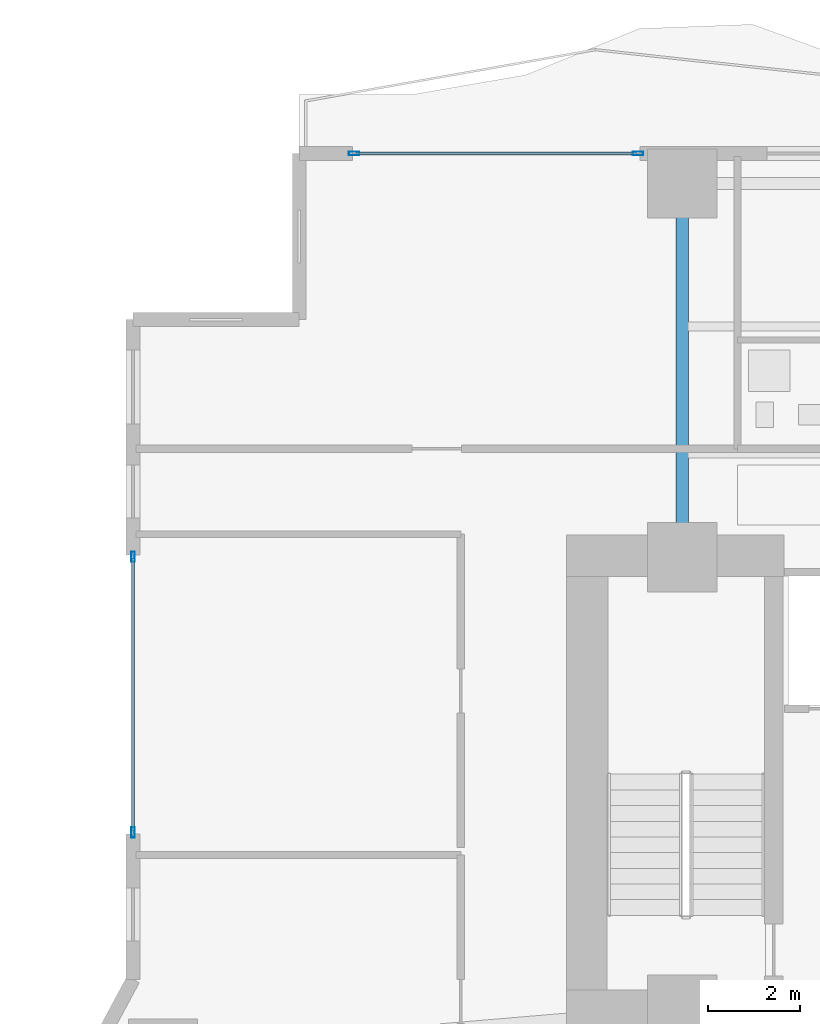
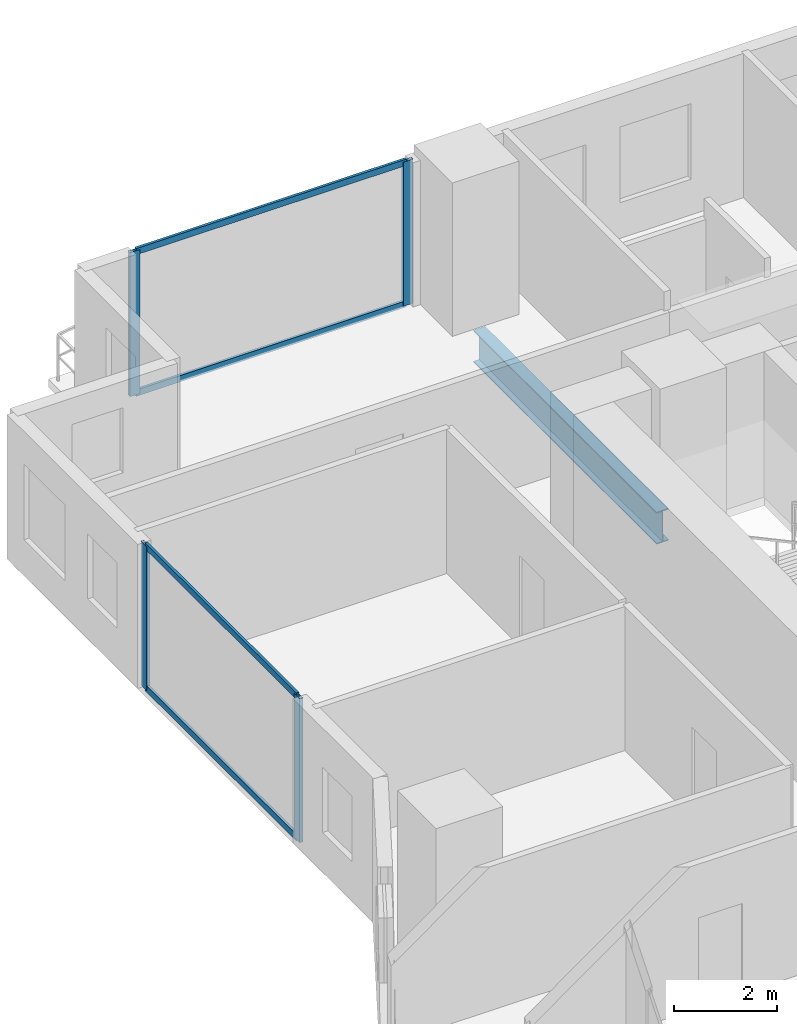
# One storey, part 13 of 28: 8 members, 1 beam, 2 elements without a shape of their own.
"""IFC4 building model written with IfcOpenShell, lengths in metres."""

from ifc_helpers import new_model, si_unit, direction, frame, origin, origin_2d, place, context, subcontext, project, spatial, hollow_rectangle, i_section, extrude, material, layer, layer_set, material_profile, profile_set, type_object, element, aggregate, save


model = new_model("IFC4")

# Units and contexts
model_context = context("Model", 3, precision=1e-05, world=origin(), true_north=direction((0.0, 1.0)))
body_context = subcontext(model_context, "Body", "Model", "MODEL_VIEW")
ifc_project = project(units=[si_unit("LENGTHUNIT", "METRE"), si_unit("AREAUNIT", "SQUARE_METRE"), si_unit("VOLUMEUNIT", "CUBIC_METRE"), si_unit("PLANEANGLEUNIT", "RADIAN"), si_unit("MASSUNIT", "GRAM", prefix="KILO")], contexts=[model_context])

# Site, building, storey
site_placement = place(None, origin())
site = spatial("IfcSite", under=ifc_project, at=site_placement, CompositionType="ELEMENT")
building_placement = place(site_placement, origin())
building = spatial("IfcBuilding", under=site, at=building_placement, Name="Zuhayl Quay Hotel", CompositionType="ELEMENT")
storey_placement = place(building_placement, frame((0.0, 0.0, 31.25)))
storey = spatial("IfcBuildingStorey", under=building, at=storey_placement, Name="L06", CompositionType="ELEMENT", Elevation=31.25)

# Beam
ifc_material_1 = material(Name="Steel ASTM A992 Grade 50", Category="steel")
ifc_material_profile_1 = material_profile(ifc_material_1, i_section(OverallWidth=0.26708984375, OverallDepth=0.761962890625, WebThickness=0.014404296875, FlangeThickness=0.021484375, at=origin_2d()), Name="W30X116")
ifc_profile_set_1 = profile_set([ifc_material_profile_1], Name="Steel ASTM A992 Grade 50")
beam_type = type_object("IfcBeamType", Name="BM_B1_W30X116", PredefinedType="BEAM", material=ifc_profile_set_1)
beam_placement = place(storey_placement, frame((-13.800048828125, 14.800048828125, -0.60107421875), z_axis=(0.0, 1.0, 0.0), x_axis=(-1.0, 0.0, 0.0)))
element("IfcBeam", 1, at=beam_placement, inside=storey, type_object=beam_type, Name="L06 Floor Beam FG_N_L06_1", PredefinedType="BEAM", context=body_context, shape_type="SweptSolid", body=[
    extrude(i_section(OverallWidth=0.26708984375, OverallDepth=0.761962890625, WebThickness=0.014404296875, FlangeThickness=0.021484375, at=origin_2d()), origin(), (0.0, 0.0, 1.0), 7.14990234375),
])

# Curtain wall, members
ifc_material_2 = material(Name="Anodised Aluminium 6063-T6", Category="aluminium")
ifc_layer = layer(ifc_material_2, 0.18994140625, Name="Anodised Aluminium 6063-T6", Category="aluminium")
ifc_layer_set = layer_set([ifc_layer], Name="Anodised Aluminium 6063-T6")
curtain_wall_type = type_object("IfcCurtainWallType", Name="CW_SYS_Z1", PredefinedType="USERDEFINED", material=ifc_layer_set)
curtain_wall_1_placement = place(storey_placement, origin())
curtain_wall_1 = element("IfcCurtainWall", 2, at=curtain_wall_1_placement, inside=storey, type_object=curtain_wall_type, Name="L06 Curtain Wall ENV_L06_E05_CW1", ObjectType="UNITISED CURTAIN WALL", PredefinedType="USERDEFINED")
ifc_material_3 = material(Name="Black-anodised aluminium 6063-T6", Category="aluminium")
ifc_material_profile_2 = material_profile(ifc_material_3, hollow_rectangle(XDim=0.074951171875, YDim=0.219970703125, WallThickness=0.00390625, at=origin_2d()), Name="ALU220X75")
ifc_profile_set_2 = profile_set([ifc_material_profile_2], Name="Black-anodised aluminium 6063-T6")
member_type_1 = type_object("IfcMemberType", Name="MB_CW_MUL_220", PredefinedType="MULLION", material=ifc_profile_set_2)
member_1_placement = place(storey_placement, frame((-25.699951171875, 8.387451171875, 0.0), z_axis=(0.0, 0.0, 1.0), x_axis=(-1.0, 0.0, 0.0)))
member_1 = element("IfcMember", 3, at=member_1_placement, type_object=member_type_1, Name="CW-Z1 mullion 1", PredefinedType="MULLION", context=body_context, shape_type="SweptSolid", body=[
    extrude(hollow_rectangle(XDim=0.074951171875, YDim=0.219970703125, WallThickness=0.00390625, at=origin_2d()), origin(), (0.0, 0.0, 1.0), 3.429931640625),
])
member_2_placement = place(storey_placement, frame((-25.699951171875, 14.362548828125, 0.0), z_axis=(0.0, 0.0, 1.0), x_axis=(-1.0, 0.0, 0.0)))
member_2 = element("IfcMember", 4, at=member_2_placement, type_object=member_type_1, Name="CW-Z1 mullion 2", PredefinedType="MULLION", context=body_context, shape_type="SweptSolid", body=[
    extrude(hollow_rectangle(XDim=0.074951171875, YDim=0.219970703125, WallThickness=0.00390625, at=origin_2d()), origin(), (0.0, 0.0, 1.0), 3.429931640625),
])

curtain_wall_2_placement = place(storey_placement, origin())
curtain_wall_2 = element("IfcCurtainWall", 5, at=curtain_wall_2_placement, inside=storey, type_object=curtain_wall_type, Name="L06 Curtain Wall ENV_L06_N_CW1", ObjectType="UNITISED CURTAIN WALL", PredefinedType="USERDEFINED")
member_3_placement = place(storey_placement, frame((-20.91259765625, 23.10009765625, 0.0), z_axis=(0.0, 0.0, 1.0), x_axis=(0.0, 1.0, 0.0)))
member_3 = element("IfcMember", 6, at=member_3_placement, type_object=member_type_1, Name="CW-Z1 mullion 1", PredefinedType="MULLION", context=body_context, shape_type="SweptSolid", body=[
    extrude(hollow_rectangle(XDim=0.074951171875, YDim=0.219970703125, WallThickness=0.00390625, at=origin_2d()), origin(), (0.0, 0.0, 1.0), 3.429931640625),
])
member_4_placement = place(storey_placement, frame((-14.757568359375, 23.10009765625, 0.0), z_axis=(0.0, 0.0, 1.0), x_axis=(0.0, 1.0, 0.0)))
member_4 = element("IfcMember", 7, at=member_4_placement, type_object=member_type_1, Name="CW-Z1 mullion 2", PredefinedType="MULLION", context=body_context, shape_type="SweptSolid", body=[
    extrude(hollow_rectangle(XDim=0.074951171875, YDim=0.219970703125, WallThickness=0.00390625, at=origin_2d()), origin(), (0.0, 0.0, 1.0), 3.429931640625),
])

# Member
ifc_material_profile_3 = material_profile(ifc_material_3, hollow_rectangle(XDim=0.06005859375, YDim=0.14990234375, WallThickness=0.00341796875, at=origin_2d()), Name="ALU150X60")
ifc_profile_set_3 = profile_set([ifc_material_profile_3], Name="Black-anodised aluminium 6063-T6")
member_type_2 = type_object("IfcMemberType", Name="MB_CW_TRN_150", PredefinedType="USERDEFINED", material=ifc_profile_set_3)
member_5_placement = place(storey_placement, frame((-25.699951171875, 8.425048828125, 0.030029296875), z_axis=(0.0, 1.0, 0.0), x_axis=(-1.0, 0.0, 0.0)))
member_5 = element("IfcMember", 8, at=member_5_placement, type_object=member_type_2, Name="CW-Z1 transom 1.1", ObjectType="TRANSOM", PredefinedType="USERDEFINED", context=body_context, shape_type="SweptSolid", body=[
    extrude(hollow_rectangle(XDim=0.06005859375, YDim=0.14990234375, WallThickness=0.00341796875, at=origin_2d()), origin(), (0.0, 0.0, 1.0), 5.89990234375),
])

member_6_placement = place(storey_placement, frame((-25.699951171875, 8.425048828125, 3.39990234375), z_axis=(0.0, 1.0, 0.0), x_axis=(-1.0, 0.0, 0.0)))
member_6 = element("IfcMember", 9, at=member_6_placement, type_object=member_type_2, Name="CW-Z1 transom 1.2", ObjectType="TRANSOM", PredefinedType="USERDEFINED", context=body_context, shape_type="SweptSolid", body=[
    extrude(hollow_rectangle(XDim=0.06005859375, YDim=0.14990234375, WallThickness=0.00341796875, at=origin_2d()), origin(), (0.0, 0.0, 1.0), 5.89990234375),
])

aggregate(curtain_wall_1, [member_1, member_2, member_5, member_6])

member_7_placement = place(storey_placement, frame((-20.875, 23.10009765625, 0.030029296875), z_axis=(1.0, 0.0, 0.0), x_axis=(0.0, 1.0, 0.0)))
member_7 = element("IfcMember", 10, at=member_7_placement, type_object=member_type_2, Name="CW-Z1 transom 1.1", ObjectType="TRANSOM", PredefinedType="USERDEFINED", context=body_context, shape_type="SweptSolid", body=[
    extrude(hollow_rectangle(XDim=0.06005859375, YDim=0.14990234375, WallThickness=0.00341796875, at=origin_2d()), origin(), (0.0, 0.0, 1.0), 6.080078125),
])

member_8_placement = place(storey_placement, frame((-20.875, 23.10009765625, 3.39990234375), z_axis=(1.0, 0.0, 0.0), x_axis=(0.0, 1.0, 0.0)))
member_8 = element("IfcMember", 11, at=member_8_placement, type_object=member_type_2, Name="CW-Z1 transom 1.2", ObjectType="TRANSOM", PredefinedType="USERDEFINED", context=body_context, shape_type="SweptSolid", body=[
    extrude(hollow_rectangle(XDim=0.06005859375, YDim=0.14990234375, WallThickness=0.00341796875, at=origin_2d()), origin(), (0.0, 0.0, 1.0), 6.080078125),
])

aggregate(curtain_wall_2, [member_3, member_4, member_7, member_8])

save(model, "model.ifc")
